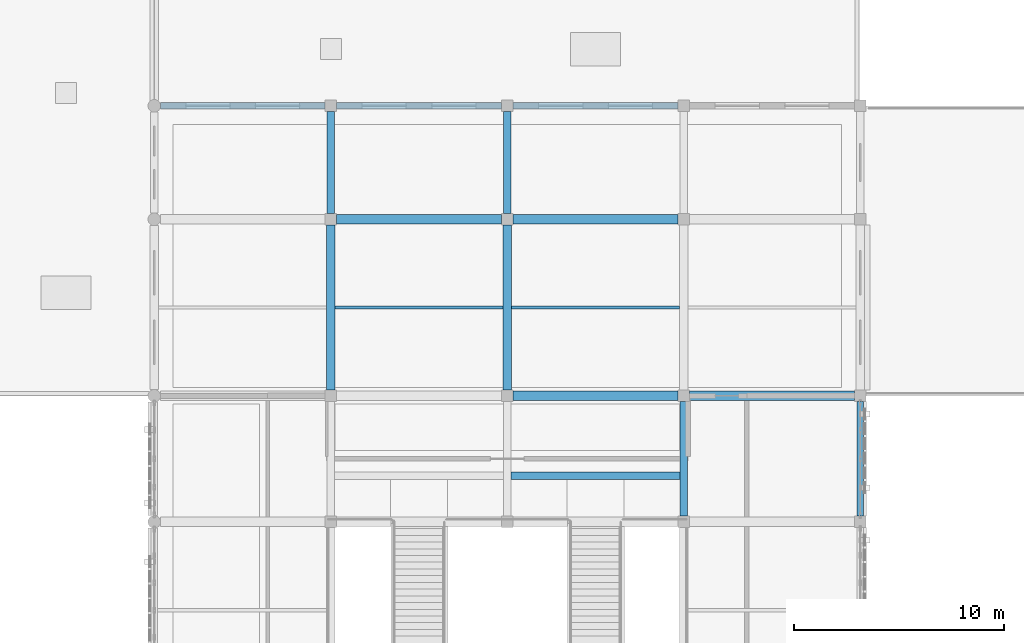
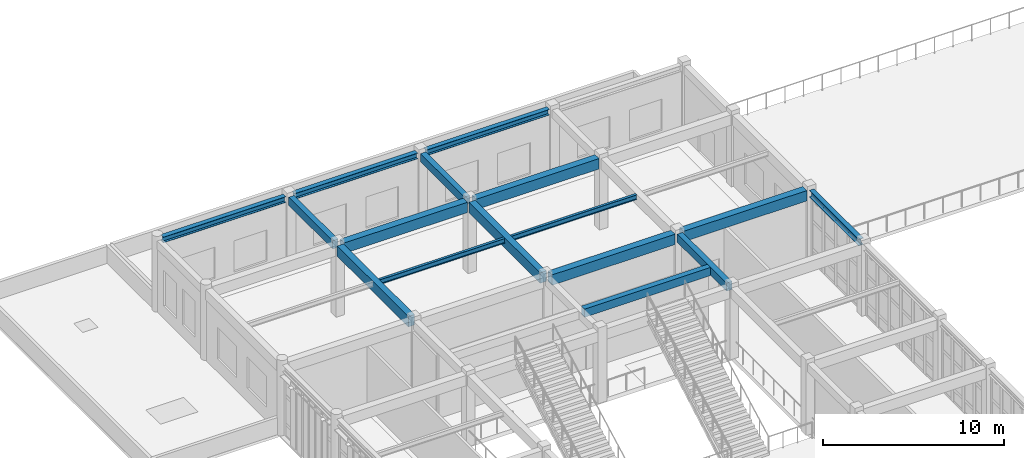
# One storey, part 38 of 93: 16 beams.
"""IFC4 building model written with IfcOpenShell, lengths in metres."""

from ifc_helpers import new_model, si_unit, direction, frame, origin, origin_2d, place, context, subcontext, project, spatial, rectangle, i_section, extrude, material, material_profile, profile_set, type_object, element, save


model = new_model("IFC4")

# Units and contexts
model_context = context("Model", 3, precision=1e-05, world=origin(), true_north=direction((0.0, 1.0)))
body_context = subcontext(model_context, "Body", "Model", "MODEL_VIEW")
ifc_project = project(units=[si_unit("LENGTHUNIT", "METRE"), si_unit("AREAUNIT", "SQUARE_METRE"), si_unit("VOLUMEUNIT", "CUBIC_METRE"), si_unit("PLANEANGLEUNIT", "RADIAN"), si_unit("MASSUNIT", "GRAM", prefix="KILO")], contexts=[model_context])

# Site, building, storey
site_placement = place(None, origin())
site = spatial("IfcSite", under=ifc_project, at=site_placement, CompositionType="ELEMENT")
building_placement = place(site_placement, origin())
building = spatial("IfcBuilding", under=site, at=building_placement, Name="Krzemoval Escarpment Law Courts", CompositionType="ELEMENT")
storey_placement = place(building_placement, frame((0.0, 0.0, 10.199951171875)))
storey = spatial("IfcBuildingStorey", under=building, at=storey_placement, Name="L02", CompositionType="ELEMENT", Elevation=10.199951171875)

# Beams
ifc_material_1 = material(Name="Concrete C40/50", Category="concrete")
ifc_material_profile_1 = material_profile(ifc_material_1, rectangle(XDim=0.35009765625, YDim=0.550048828125, at=origin_2d()), Name="RCB 350x550")
ifc_profile_set_1 = profile_set([ifc_material_profile_1], Name="Concrete C40/50")
beam_type_1 = type_object("IfcBeamType", Name="BM-RC-350x550", PredefinedType="BEAM", material=ifc_profile_set_1)
for number, where, z_axis, x_axis, name in (
    (1, (16.800048828125, 108.27490234375, 4.545166015625), (0.0, 1.0, 0.0), (-1.0, 0.0, 0.0), "Beam FG-L02-1881"),
    (2, (25.199951171875, 108.27490234375, 4.545166015625), (0.0, 1.0, 0.0), (-1.0, 0.0, 0.0), "Beam FG-L02-1889"),
):
    element("IfcBeam", number, at=place(storey_placement, frame(where, z_axis=z_axis, x_axis=x_axis)), inside=storey, type_object=beam_type_1, Name=name, PredefinedType="BEAM", context=body_context, shape_type="SweptSolid", body=[
        extrude(rectangle(XDim=0.35009765625, YDim=0.550048828125, at=origin_2d()), origin(), (0.0, 0.0, 1.0), 4.85009765625),
    ])
beam_1_placement = place(storey_placement, frame((33.60009765625, 93.875, 4.545166015625), z_axis=(0.0, 1.0, 0.0), x_axis=(-1.0, 0.0, 0.0)))
element("IfcBeam", 3, at=beam_1_placement, inside=storey, type_object=beam_type_1, Name="Beam FG-L02-1902", PredefinedType="BEAM", context=body_context, shape_type="SweptSolid", body=[
    extrude(rectangle(XDim=0.35009765625, YDim=0.550048828125, at=origin_2d()), origin(), (0.0, 0.0, 1.0), 5.449951171875),
])
beam_2_placement = place(storey_placement, frame((25.375, 95.800048828125, 4.545166015625), z_axis=(1.0, 0.0, 0.0), x_axis=(0.0, 1.0, 0.0)))
element("IfcBeam", 4, at=beam_2_placement, inside=storey, type_object=beam_type_1, Name="Beam FGT-L02-012", PredefinedType="BEAM", context=body_context, shape_type="SweptSolid", body=[
    extrude(rectangle(XDim=0.35009765625, YDim=0.550048828125, at=origin_2d()), origin(), (0.0, 0.0, 1.0), 8.050048828125),
])
ifc_material_2 = material(Name="Concrete C40/50", Category="concrete")
ifc_material_profile_2 = material_profile(ifc_material_2, rectangle(XDim=0.39990234375, YDim=0.699951171875, at=origin_2d()), Name="RCB 400x700")
ifc_profile_set_2 = profile_set([ifc_material_profile_2], Name="Concrete C40/50")
beam_type_2 = type_object("IfcBeamType", Name="BM-RC-400x700", PredefinedType="BEAM", material=ifc_profile_set_2)
for number, where, z_axis, x_axis, name in (
    (5, (16.800048828125, 99.875, 4.469970703125), (0.0, 1.0, 0.0), (-1.0, 0.0, 0.0), "Beam FG-L02-1880"),
    (6, (25.199951171875, 99.875, 4.469970703125), (0.0, 1.0, 0.0), (-1.0, 0.0, 0.0), "Beam FG-L02-1888"),
):
    element("IfcBeam", number, at=place(storey_placement, frame(where, z_axis=z_axis, x_axis=x_axis)), inside=storey, type_object=beam_type_2, Name=name, PredefinedType="BEAM", context=body_context, shape_type="SweptSolid", body=[
        extrude(rectangle(XDim=0.39990234375, YDim=0.699951171875, at=origin_2d()), origin(), (0.0, 0.0, 1.0), 7.85009765625),
    ])
ifc_material_3 = material(Name="Concrete C40/50", Category="concrete")
ifc_material_profile_3 = material_profile(ifc_material_3, rectangle(XDim=0.449951171875, YDim=0.699951171875, at=origin_2d()), Name="RCB 450x700")
ifc_profile_set_3 = profile_set([ifc_material_profile_3], Name="Concrete C40/50")
beam_type_3 = type_object("IfcBeamType", Name="BM-RC-450x700", PredefinedType="BEAM", material=ifc_profile_set_3)
beam_3_placement = place(storey_placement, frame((25.47509765625, 99.60009765625, 4.469970703125), z_axis=(1.0, 0.0, 0.0), x_axis=(0.0, 1.0, 0.0)))
element("IfcBeam", 7, at=beam_3_placement, inside=storey, type_object=beam_type_3, Name="Beam FG-L02-1821", PredefinedType="BEAM", context=body_context, shape_type="SweptSolid", body=[
    extrude(rectangle(XDim=0.449951171875, YDim=0.699951171875, at=origin_2d()), origin(), (0.0, 0.0, 1.0), 7.849853515625),
])
for number, where, z_axis, x_axis, name in (
    (8, (33.875, 99.60009765625, 4.469970703125), (1.0, 0.0, 0.0), (0.0, 1.0, 0.0), "Beam FG-L02-1822"),
    (9, (17.074951171875, 108.0, 4.469970703125), (1.0, 0.0, 0.0), (0.0, 1.0, 0.0), "Beam FG-L02-1828"),
):
    element("IfcBeam", number, at=place(storey_placement, frame(where, z_axis=z_axis, x_axis=x_axis)), inside=storey, type_object=beam_type_3, Name=name, PredefinedType="BEAM", context=body_context, shape_type="SweptSolid", body=[
        extrude(rectangle(XDim=0.449951171875, YDim=0.699951171875, at=origin_2d()), origin(), (0.0, 0.0, 1.0), 7.85009765625),
    ])
beam_4_placement = place(storey_placement, frame((25.47509765625, 108.0, 4.469970703125), z_axis=(1.0, 0.0, 0.0), x_axis=(0.0, 1.0, 0.0)))
element("IfcBeam", 10, at=beam_4_placement, inside=storey, type_object=beam_type_3, Name="Beam FG-L02-1829", PredefinedType="BEAM", context=body_context, shape_type="SweptSolid", body=[
    extrude(rectangle(XDim=0.449951171875, YDim=0.699951171875, at=origin_2d()), origin(), (0.0, 0.0, 1.0), 7.849853515625),
])
ifc_material_4 = material(Name="Steel S355", Category="steel")
ifc_material_profile_4 = material_profile(ifc_material_4, i_section(OverallWidth=0.159912109375, OverallDepth=0.330078125, WebThickness=0.007568359375, FlangeThickness=0.011474609375, at=origin_2d()), Name="IPE 330")
ifc_profile_set_4 = profile_set([ifc_material_profile_4], Name="Steel S355")
beam_type_4 = type_object("IfcBeamType", Name="JST-S355-IPE330", PredefinedType="JOIST", material=ifc_profile_set_4)
for number, where, z_axis, x_axis, name in (
    (11, (17.0, 103.800048828125, 4.655029296875), (1.0, 0.0, 0.0), (0.0, 1.0, 0.0), "Secondary Joist FJ-L02-2019"),
    (12, (25.39990234375, 103.800048828125, 4.655029296875), (1.0, 0.0, 0.0), (0.0, 1.0, 0.0), "Secondary Joist FJ-L02-2021"),
):
    element("IfcBeam", number, at=place(storey_placement, frame(where, z_axis=z_axis, x_axis=x_axis)), inside=storey, type_object=beam_type_4, Name=name, PredefinedType="JOIST", context=body_context, shape_type="SweptSolid", body=[
        extrude(i_section(OverallWidth=0.159912109375, OverallDepth=0.330078125, WebThickness=0.007568359375, FlangeThickness=0.011474609375, at=origin_2d()), origin(), (0.0, 0.0, 1.0), 8.0),
    ])
ifc_material_5 = material(Name="Steel S355", Category="steel")
ifc_material_profile_5 = material_profile(ifc_material_5, i_section(OverallWidth=0.300048828125, OverallDepth=0.389892578125, WebThickness=0.010986328125, FlangeThickness=0.01904296875, at=origin_2d()), Name="HEA 400")
ifc_profile_set_5 = profile_set([ifc_material_profile_5], Name="Steel S355")
beam_type_5 = type_object("IfcBeamType", Name="SPN-S355-HEA400", PredefinedType="SPANDREL", material=ifc_profile_set_5)
beam_5_placement = place(storey_placement, frame((8.699951171875, 113.39990234375, 4.625), z_axis=(1.0, 0.0, 0.0), x_axis=(0.0, 1.0, 0.0)))
element("IfcBeam", 13, at=beam_5_placement, inside=storey, type_object=beam_type_5, Name="Beam FG-L02-1835", PredefinedType="SPANDREL", context=body_context, shape_type="SweptSolid", body=[
    extrude(i_section(OverallWidth=0.300048828125, OverallDepth=0.389892578125, WebThickness=0.010986328125, FlangeThickness=0.01904296875, at=origin_2d()), origin(), (0.0, 0.0, 1.0), 7.824951171875),
])
beam_6_placement = place(storey_placement, frame((17.074951171875, 113.39990234375, 4.625), z_axis=(1.0, 0.0, 0.0), x_axis=(0.0, 1.0, 0.0)))
element("IfcBeam", 14, at=beam_6_placement, inside=storey, type_object=beam_type_5, Name="Beam FG-L02-1836", PredefinedType="SPANDREL", context=body_context, shape_type="SweptSolid", body=[
    extrude(i_section(OverallWidth=0.300048828125, OverallDepth=0.389892578125, WebThickness=0.010986328125, FlangeThickness=0.01904296875, at=origin_2d()), origin(), (0.0, 0.0, 1.0), 7.85009765625),
])
beam_7_placement = place(storey_placement, frame((25.47509765625, 113.39990234375, 4.625), z_axis=(1.0, 0.0, 0.0), x_axis=(0.0, 1.0, 0.0)))
element("IfcBeam", 15, at=beam_7_placement, inside=storey, type_object=beam_type_5, Name="Beam FG-L02-1837", PredefinedType="SPANDREL", context=body_context, shape_type="SweptSolid", body=[
    extrude(i_section(OverallWidth=0.300048828125, OverallDepth=0.389892578125, WebThickness=0.010986328125, FlangeThickness=0.01904296875, at=origin_2d()), origin(), (0.0, 0.0, 1.0), 7.849853515625),
])
ifc_material_6 = material(Name="Steel S355", Category="steel")
ifc_material_profile_6 = material_profile(ifc_material_6, i_section(OverallWidth=0.300048828125, OverallDepth=0.449951171875, WebThickness=0.013916015625, FlangeThickness=0.02587890625, at=origin_2d()), Name="HEB 450")
ifc_profile_set_6 = profile_set([ifc_material_profile_6], Name="Steel S355")
beam_type_6 = type_object("IfcBeamType", Name="SPN-S355-HEB450", PredefinedType="SPANDREL", material=ifc_profile_set_6)
beam_8_placement = place(storey_placement, frame((42.0, 93.875, 4.594970703125), z_axis=(0.0, 1.0, 0.0), x_axis=(-1.0, 0.0, 0.0)))
element("IfcBeam", 16, at=beam_8_placement, inside=storey, type_object=beam_type_6, Name="Beam FG-L02-1917", PredefinedType="SPANDREL", context=body_context, shape_type="SweptSolid", body=[
    extrude(i_section(OverallWidth=0.300048828125, OverallDepth=0.449951171875, WebThickness=0.013916015625, FlangeThickness=0.02587890625, at=origin_2d()), origin(), (0.0, 0.0, 1.0), 5.449951171875),
])

save(model, "model.ifc")
